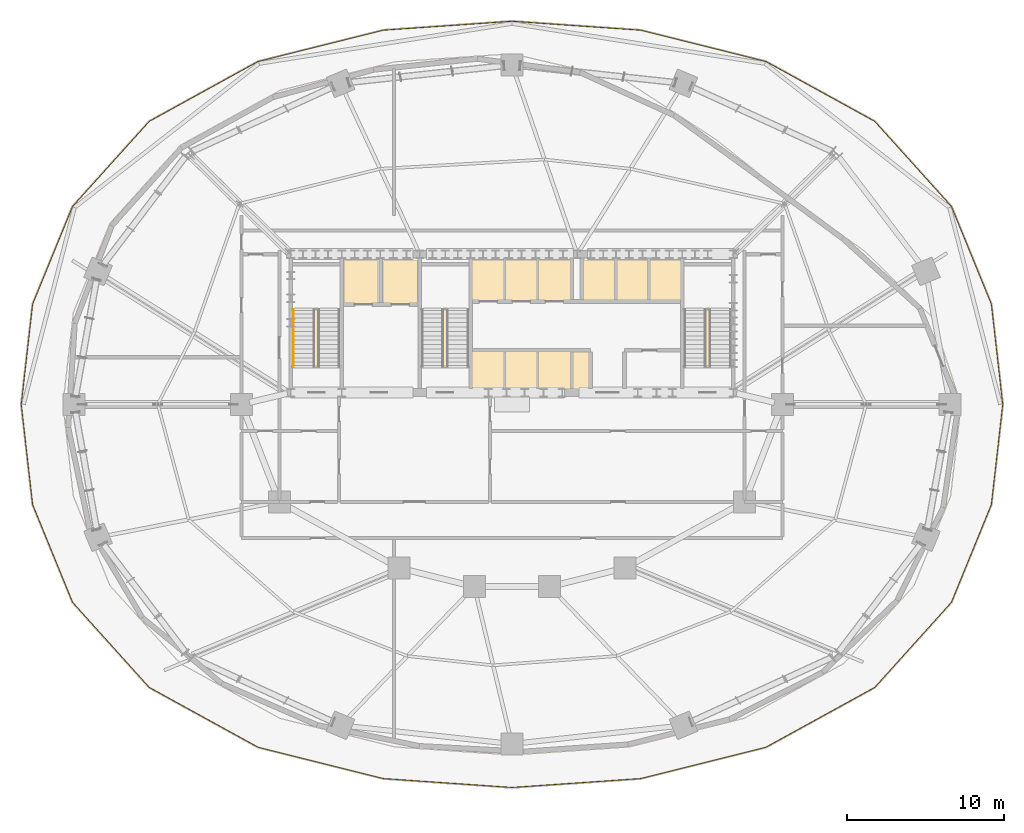
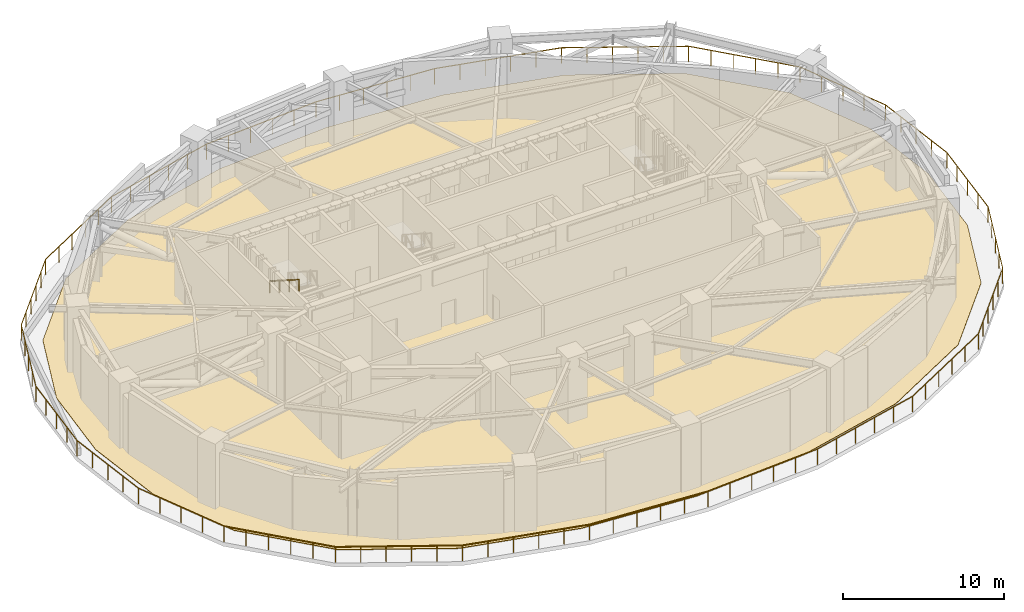
# One storey, part 17 of 18: 2 railings, 1 covering.
"""IFC4 building model written with IfcOpenShell, lengths in metres."""

import ifcopenshell
import ifcopenshell.guid

model = None  # the IFC model being written
_history = None  # IfcOwnerHistory: only IFC2X3 demands one
_inside = {}  # id of a spatial element -> (the spatial element, [elements in it])
_under = {}  # id of a project, library or spatial element -> (it, [spatial elements below it])
_declared = {}  # id of a project -> (the project, [libraries it declares])
_typed = {}  # id of a type object -> (the type object, [elements of that type])
_made_of = {}  # id of a material, layer set ... -> (it, [elements and type objects made of it])


def new_model(schema):
    """Start an empty IFC model of exactly this schema.

    Asked for "IFC4X3", IfcOpenShell would pick the latest addendum, in which some entities
    have other attributes; the version numbers below select the first issue.
    IFC2X3 requires an IfcOwnerHistory on every rooted entity: one is made here for all.
    """
    global model, _history
    if schema == "IFC4X3":
        model = ifcopenshell.file(schema_version=(4, 3, 0, 0))
    else:
        model = ifcopenshell.file(schema=schema)
    _inside.clear()
    _under.clear()
    _declared.clear()
    _typed.clear()
    _made_of.clear()
    _history = None
    if model.schema == "IFC2X3":
        org = make("IfcOrganization", Name="unknown")
        user = make(
            "IfcPersonAndOrganization",
            ThePerson=make("IfcPerson", FamilyName="unknown"),
            TheOrganization=org,
        )
        app = make(
            "IfcApplication",
            ApplicationDeveloper=org,
            Version="unknown",
            ApplicationFullName="unknown",
            ApplicationIdentifier="unknown",
        )
        _history = make(
            "IfcOwnerHistory",
            OwningUser=user,
            OwningApplication=app,
            ChangeAction="ADDED",
            CreationDate=0,
        )
    return model


def make(cls, **values):
    """One entity of the class cls with the attributes given. An attribute that is None is left unset."""
    return model.create_entity(
        cls, **{name: value for name, value in values.items() if value is not None}
    )


def rooted(cls, **values):
    """An entity with a GlobalId (a new one), such as an element, a storey or a relation."""
    return make(cls, GlobalId=ifcopenshell.guid.new(), OwnerHistory=_history, **values)


def si_unit(unit_type, name, prefix=None):
    """IfcSIUnit, for example si_unit("LENGTHUNIT", "METRE", prefix="MILLI")."""
    return make("IfcSIUnit", UnitType=unit_type, Prefix=prefix, Name=name)


def assignment(units):
    """IfcUnitAssignment: the units of a project."""
    return None if units is None else make("IfcUnitAssignment", Units=units)


def point(xyz):
    """IfcCartesianPoint."""
    return None if xyz is None else make("IfcCartesianPoint", Coordinates=xyz)


def direction(xyz):
    """IfcDirection."""
    return None if xyz is None else make("IfcDirection", DirectionRatios=xyz)


def frame(location, z_axis=None, x_axis=None):
    """IfcAxis2Placement3D, a coordinate frame: its origin and axes. An axis left out is left unset."""
    return make(
        "IfcAxis2Placement3D",
        Location=point(location),
        Axis=direction(z_axis),
        RefDirection=direction(x_axis),
    )


def frame_2d(location, x_axis=None):
    """IfcAxis2Placement2D, a coordinate frame in the plane: its origin and x axis."""
    return make(
        "IfcAxis2Placement2D", Location=point(location), RefDirection=direction(x_axis)
    )


def origin():
    """The frame at (0, 0, 0) with its axes left unset."""
    return frame((0.0, 0.0, 0.0))


def origin_2d():
    """The frame at (0, 0) in the plane with its x axis left unset."""
    return frame_2d((0.0, 0.0))


def place(relative_to, where):
    """IfcLocalPlacement: puts the frame where relative to a parent placement (None: the world)."""
    return make(
        "IfcLocalPlacement", PlacementRelTo=relative_to, RelativePlacement=where
    )


def context(
    kind, dimensions, precision=None, world=None, true_north=None, identifier=None
):
    """IfcGeometricRepresentationContext, for example the 3D "Model" context."""
    return make(
        "IfcGeometricRepresentationContext",
        ContextIdentifier=identifier,
        ContextType=kind,
        CoordinateSpaceDimension=dimensions,
        Precision=precision,
        WorldCoordinateSystem=world,
        TrueNorth=true_north,
    )


def subcontext(parent, identifier, kind, view, scale=None):
    """IfcGeometricRepresentationSubContext, for example "Body" below "Model"."""
    return make(
        "IfcGeometricRepresentationSubContext",
        ContextIdentifier=identifier,
        ContextType=kind,
        ParentContext=parent,
        TargetScale=scale,
        TargetView=view,
    )


def project(units=None, contexts=None):
    """IfcProject with its units and contexts."""
    return rooted(
        "IfcProject",
        Name="project",
        RepresentationContexts=contexts,
        UnitsInContext=assignment(units),
    )


def spatial(cls, under=None, at=None, **own):
    """A site, building, storey or space (cls), placed at a placement, below another one or the project."""
    s = rooted(cls, ObjectPlacement=at, **own)
    if under is not None:
        _under.setdefault(under.id(), (under, []))[1].append(s)
    return s


def polyline(points):
    """IfcPolyline through the points."""
    return make("IfcPolyline", Points=[point(p) for p in points])


def profile(cls, at=None, kind="AREA", **sizes):
    """A parametric profile (cls). Its sizes go by their IFC names, for example OverallWidth=200.0."""
    return make(cls, ProfileType=kind, Position=at, **sizes)


def rectangle(**sizes):
    """IfcRectangleProfileDef."""
    return profile("IfcRectangleProfileDef", **sizes)


def outline(outer, holes=None, kind="AREA"):
    """IfcArbitraryClosedProfileDef: a profile drawn as a closed curve; with holes, ...WithVoids."""
    if holes is None:
        return make("IfcArbitraryClosedProfileDef", ProfileType=kind, OuterCurve=outer)
    return make(
        "IfcArbitraryProfileDefWithVoids",
        ProfileType=kind,
        OuterCurve=outer,
        InnerCurves=holes,
    )


def extrude(swept, where, along, depth):
    """IfcExtrudedAreaSolid: the profile swept, set in the frame where, extruded along a direction by depth."""
    return make(
        "IfcExtrudedAreaSolid",
        SweptArea=swept,
        Position=where,
        ExtrudedDirection=direction(along),
        Depth=depth,
    )


def shape(context_of_items, identifier, shape_type, items):
    """IfcShapeRepresentation: the items that make up one representation, for example the "Body"."""
    return make(
        "IfcShapeRepresentation",
        ContextOfItems=context_of_items,
        RepresentationIdentifier=identifier,
        RepresentationType=shape_type,
        Items=items,
    )


def material(Name=None, Category=None):
    """IfcMaterial."""
    return make("IfcMaterial", Name=Name, Category=Category)


def layer(
    of_material, thickness, ventilated=None, Name=None, Category=None, Priority=None
):
    """IfcMaterialLayer: one layer of a wall or slab, of a material (None: an air gap)."""
    return make(
        "IfcMaterialLayer",
        Material=of_material,
        LayerThickness=thickness,
        IsVentilated=ventilated,
        Name=Name,
        Category=Category,
        Priority=Priority,
    )


def layer_set(layers, Name=None):
    """IfcMaterialLayerSet."""
    return make("IfcMaterialLayerSet", MaterialLayers=layers, LayerSetName=Name)


def made_of(thing, what):
    """Note that an element or type object is made of a material, layer set ...; save() writes the relation."""
    if what is not None:
        _made_of.setdefault(what.id(), (what, []))[1].append(thing)
    return thing


def type_object(cls, material=None, **own):
    """A type object (cls), such as IfcWallType, which elements share."""
    return made_of(rooted(cls, **own), material)


def element(
    cls,
    number,
    at=None,
    inside=None,
    cuts=None,
    type_object=None,
    material=None,
    context=None,
    identifier="Body",
    shape_type=None,
    held_by="IfcProductDefinitionShape",
    body=None,
    shapes=None,
    **own,
):
    """One element of the class cls, such as IfcWall. Its Tag is "e" and its number.

    at: its placement. inside: the storey or other place that contains it. cuts: it is an
    opening in that element (IfcRelVoidsElement). A single representation is given by context,
    identifier, shape_type and body (its items); several are given by shapes. held_by: the class
    of the entity that holds the representations. save() writes the other relations.
    """
    e = rooted(cls, Tag="e%d" % number, ObjectPlacement=at, **own)
    if body is not None:
        shapes = [shape(context, identifier, shape_type, body)]
    if shapes is not None:
        e.Representation = make(held_by, Representations=shapes)
    if inside is not None:
        _inside.setdefault(inside.id(), (inside, []))[1].append(e)
    if cuts is not None:
        rooted(
            "IfcRelVoidsElement", RelatingBuildingElement=cuts, RelatedOpeningElement=e
        )
    if type_object is not None:
        _typed.setdefault(type_object.id(), (type_object, []))[1].append(e)
    return made_of(e, material)


def aggregate(whole, parts):
    """IfcRelAggregates: a whole, such as a stair, and the parts it consists of."""
    return rooted("IfcRelAggregates", RelatingObject=whole, RelatedObjects=parts)


def save(model, path):
    """Write the relations noted so far, then the file.

    IfcRelAggregates (storeys below a building ...), IfcRelContainedInSpatialStructure (elements
    in a storey), IfcRelDefinesByType, IfcRelAssociatesMaterial and IfcRelDeclares: one each for
    every whole, place, type object, material and project.
    """
    for whole, parts in _under.values():
        aggregate(whole, parts)
    for where, things in _inside.values():
        rooted(
            "IfcRelContainedInSpatialStructure",
            RelatedElements=things,
            RelatingStructure=where,
        )
    for kind, things in _typed.values():
        rooted("IfcRelDefinesByType", RelatedObjects=things, RelatingType=kind)
    for what, things in _made_of.values():
        rooted("IfcRelAssociatesMaterial", RelatedObjects=things, RelatingMaterial=what)
    for by, libraries in _declared.values():
        rooted("IfcRelDeclares", RelatingContext=by, RelatedDefinitions=libraries)
    model.write(path)


model = new_model("IFC4")

# Units and contexts
model_context = context("Model", 3, precision=1e-05, world=origin(), true_north=direction((0.0, 1.0)))
body_context = subcontext(model_context, "Body", "Model", "MODEL_VIEW")
ifc_project = project(units=[si_unit("LENGTHUNIT", "METRE"), si_unit("AREAUNIT", "SQUARE_METRE"), si_unit("VOLUMEUNIT", "CUBIC_METRE"), si_unit("PLANEANGLEUNIT", "RADIAN"), si_unit("MASSUNIT", "GRAM", prefix="KILO")], contexts=[model_context])

# Site, building, storey
site_placement = place(None, origin())
site = spatial("IfcSite", under=ifc_project, at=site_placement, CompositionType="ELEMENT")
building_placement = place(site_placement, origin())
building = spatial("IfcBuilding", under=site, at=building_placement, Name="Haldorwick Loom Tower", CompositionType="ELEMENT")
storey_placement = place(building_placement, frame((0.0, 0.0, 76.800048828125)))
storey = spatial("IfcBuildingStorey", under=building, at=storey_placement, Name="L20", CompositionType="ELEMENT", Elevation=76.800048828125)

# Covering
ifc_material_1 = material(Name="SBS Modified Bitumen Inverted Roof Membrane")
ifc_layer = layer(ifc_material_1, 0.0400390625, Name="SBS Modified Bitumen Inverted Roof Membrane")
ifc_layer_set = layer_set([ifc_layer], Name="SBS Modified Bitumen Inverted Roof Membrane")
covering_type = type_object("IfcCoveringType", Name="ARC-COV-ROOFMEM", PredefinedType="ROOFING", material=ifc_layer_set)
covering_placement = place(storey_placement, origin())
element("IfcCovering", 1, at=covering_placement, inside=storey, type_object=covering_type, Name="L20 Terrace Inverted Roof Membrane 1", PredefinedType="ROOFING", context=body_context, shape_type="SweptSolid", body=[
    extrude(outline(polyline([(65.886962890625, 25.999755859375), (65.20068359375, 32.0458984375), (62.8154296875, 37.87841796875), (58.24560546875, 42.951416015625), (51.66259765625, 46.5732421875), (43.97314453125, 48.493896484375), (36.00146484375, 49.04638671875), (28.0302734375, 48.494384765625), (20.341796875, 46.5751953125), (13.759521484375, 42.955322265625), (9.187744140625, 37.884033203125), (6.800537109375, 32.051025390625), (6.11328125, 26.002197265625), (6.79931640625, 19.953857421875), (9.1845703125, 14.12158203125), (13.75439453125, 9.048583984375), (20.33740234375, 5.4267578125), (28.02685546875, 3.506103515625), (35.99853515625, 2.95361328125), (43.9697265625, 3.505615234375), (51.658203125, 5.4248046875), (58.240478515625, 9.044677734375), (62.812255859375, 14.115966796875), (65.199462890625, 19.948974609375), (65.886962890625, 25.999755859375)])), origin(), (0.0, 0.0, 1.0), 0.0400390625),
])

# Railings
ifc_material_2 = material(Name="Galvanized Steel CSA G40.21 350W", Category="steel")
railing_type_1 = type_object("IfcRailingType", Name="ARC-RLG-BAL120", PredefinedType="BALUSTRADE", material=ifc_material_2)
railing_1_placement = place(storey_placement, frame((4.78466796875, 26.0, 0.0)))
element("IfcRailing", 2, at=railing_1_placement, inside=storey, type_object=railing_type_1, Name="L20 Outdoor Terrace Guardrail SLB-L20-TERR-1-1", PredefinedType="BALUSTRADE", context=body_context, shape_type="SweptSolid", body=[
    extrude(rectangle(XDim=0.048095703125, YDim=0.048095703125, at=origin_2d()), frame((0.0, 0.0, 1.17578125), z_axis=(0.112785118554, 0.993619402504, 0.0), x_axis=(-0.993619402504, 0.112785118554, 0.0)), (0.0, 0.0, 1.0), 6.42041015625),
    extrude(rectangle(XDim=0.048095703125, YDim=0.048095703125, at=origin_2d()), frame((0.72412109375, 6.37939453125, 1.17578125), z_axis=(0.378594621359, 0.925562592523, 0.0), x_axis=(-0.925562592523, 0.378594621359, 0.0)), (0.0, 0.0, 1.0), 6.71484375),
    extrude(rectangle(XDim=0.048095703125, YDim=0.048095703125, at=origin_2d()), frame((3.266357421875, 12.594482421875, 1.17578125), z_axis=(0.669451834639, 0.742855464474, 0.0), x_axis=(-0.742855464474, 0.669451834639, 0.0)), (0.0, 0.0, 1.0), 7.280517578125),
    extrude(rectangle(XDim=0.048095703125, YDim=0.048095703125, at=origin_2d()), frame((8.140380859375, 18.0029296875, 1.17578125), z_axis=(0.876208737936, 0.481931787253, 0.0), x_axis=(-0.481931787253, 0.876208737936, 0.0)), (0.0, 0.0, 1.0), 7.9072265625),
    extrude(rectangle(XDim=0.048095703125, YDim=0.048095703125, at=origin_2d()), frame((15.06884765625, 21.813720703125, 1.17578125), z_axis=(0.970219395683, 0.242227835397, 0.0), x_axis=(-0.242227835397, 0.970219395683, 0.0)), (0.0, 0.0, 1.0), 8.21240234375),
    extrude(rectangle(XDim=0.048095703125, YDim=0.048095703125, at=origin_2d()), frame((23.03662109375, 23.802978515625, 1.17578125), z_axis=(0.997606445179, 0.069147527335, 0.0), x_axis=(-0.069147527335, 0.997606445179, 0.0)), (0.0, 0.0, 1.0), 8.1982421875),
    extrude(rectangle(XDim=0.048095703125, YDim=0.048095703125, at=origin_2d()), frame((31.21533203125, 24.369873046875, 1.17578125), z_axis=(0.997606445179, -0.069147527335, 0.0), x_axis=(0.069147527335, 0.997606445179, 0.0)), (0.0, 0.0, 1.0), 8.1982421875),
    extrude(rectangle(XDim=0.048095703125, YDim=0.048095703125, at=origin_2d()), frame((39.39404296875, 23.802978515625, 1.17578125), z_axis=(0.970219395683, -0.242227835397, 0.0), x_axis=(0.242227835397, 0.970219395683, 0.0)), (0.0, 0.0, 1.0), 8.21240234375),
    extrude(rectangle(XDim=0.048095703125, YDim=0.048095703125, at=origin_2d()), frame((47.36181640625, 21.813720703125, 1.17578125), z_axis=(0.876208737936, -0.481931787253, 0.0), x_axis=(0.481931787253, 0.876208737936, 0.0)), (0.0, 0.0, 1.0), 7.9072265625),
    extrude(rectangle(XDim=0.048095703125, YDim=0.048095703125, at=origin_2d()), frame((54.290283203125, 18.0029296875, 1.17578125), z_axis=(0.669451834639, -0.742855464474, 0.0), x_axis=(0.742855464474, 0.669451834639, 0.0)), (0.0, 0.0, 1.0), 7.280517578125),
    extrude(rectangle(XDim=0.048095703125, YDim=0.048095703125, at=origin_2d()), frame((59.164306640625, 12.594482421875, 1.17578125), z_axis=(0.378594621359, -0.925562592523, 0.0), x_axis=(0.925562592523, 0.378594621359, 0.0)), (0.0, 0.0, 1.0), 6.71484375),
    extrude(rectangle(XDim=0.048095703125, YDim=0.048095703125, at=origin_2d()), frame((61.70654296875, 6.37939453125, 1.17578125), z_axis=(0.112785118554, -0.993619402504, 0.0), x_axis=(0.993619402504, 0.112785118554, 0.0)), (0.0, 0.0, 1.0), 6.42041015625),
    extrude(rectangle(XDim=0.048095703125, YDim=0.048095703125, at=origin_2d()), frame((62.4306640625, 0.0, 1.17578125), z_axis=(-0.112785118554, -0.993619402504, 0.0), x_axis=(0.993619402504, -0.112785118554, 0.0)), (0.0, 0.0, 1.0), 6.42041015625),
    extrude(rectangle(XDim=0.048095703125, YDim=0.048095703125, at=origin_2d()), frame((61.70654296875, -6.37939453125, 1.17578125), z_axis=(-0.378594621359, -0.925562592523, 0.0), x_axis=(0.925562592523, -0.378594621359, 0.0)), (0.0, 0.0, 1.0), 6.71484375),
    extrude(rectangle(XDim=0.048095703125, YDim=0.048095703125, at=origin_2d()), frame((59.164306640625, -12.594482421875, 1.17578125), z_axis=(-0.669451834639, -0.742855464474, 0.0), x_axis=(0.742855464474, -0.669451834639, 0.0)), (0.0, 0.0, 1.0), 7.280517578125),
    extrude(rectangle(XDim=0.048095703125, YDim=0.048095703125, at=origin_2d()), frame((54.290283203125, -18.0029296875, 1.17578125), z_axis=(-0.876208737936, -0.481931787253, 0.0), x_axis=(0.481931787253, -0.876208737936, 0.0)), (0.0, 0.0, 1.0), 7.9072265625),
    extrude(rectangle(XDim=0.048095703125, YDim=0.048095703125, at=origin_2d()), frame((47.36181640625, -21.813720703125, 1.17578125), z_axis=(-0.970219395683, -0.242227835397, 0.0), x_axis=(0.242227835397, -0.970219395683, 0.0)), (0.0, 0.0, 1.0), 8.21240234375),
    extrude(rectangle(XDim=0.048095703125, YDim=0.048095703125, at=origin_2d()), frame((39.39404296875, -23.802978515625, 1.17578125), z_axis=(-0.997606445179, -0.069147527335, 0.0), x_axis=(0.069147527335, -0.997606445179, 0.0)), (0.0, 0.0, 1.0), 8.1982421875),
    extrude(rectangle(XDim=0.048095703125, YDim=0.048095703125, at=origin_2d()), frame((31.21533203125, -24.369873046875, 1.17578125), z_axis=(-0.997606445179, 0.069147527335, 0.0), x_axis=(-0.069147527335, -0.997606445179, 0.0)), (0.0, 0.0, 1.0), 8.1982421875),
    extrude(rectangle(XDim=0.048095703125, YDim=0.048095703125, at=origin_2d()), frame((23.03662109375, -23.802978515625, 1.17578125), z_axis=(-0.970219395683, 0.242227835397, 0.0), x_axis=(-0.242227835397, -0.970219395683, 0.0)), (0.0, 0.0, 1.0), 8.21240234375),
    extrude(rectangle(XDim=0.048095703125, YDim=0.048095703125, at=origin_2d()), frame((15.06884765625, -21.813720703125, 1.17578125), z_axis=(-0.876208737936, 0.481931787253, 0.0), x_axis=(-0.481931787253, -0.876208737936, 0.0)), (0.0, 0.0, 1.0), 7.9072265625),
    extrude(rectangle(XDim=0.048095703125, YDim=0.048095703125, at=origin_2d()), frame((8.140380859375, -18.0029296875, 1.17578125), z_axis=(-0.669451834639, 0.742855464474, 0.0), x_axis=(-0.742855464474, -0.669451834639, 0.0)), (0.0, 0.0, 1.0), 7.280517578125),
    extrude(rectangle(XDim=0.048095703125, YDim=0.048095703125, at=origin_2d()), frame((3.266357421875, -12.594482421875, 1.17578125), z_axis=(-0.378594621359, 0.925562592523, 0.0), x_axis=(-0.925562592523, -0.378594621359, 0.0)), (0.0, 0.0, 1.0), 6.71484375),
    extrude(rectangle(XDim=0.048095703125, YDim=0.048095703125, at=origin_2d()), frame((0.72412109375, -6.37939453125, 1.17578125), z_axis=(-0.112785118554, 0.993619402504, 0.0), x_axis=(-0.993619402504, -0.112785118554, 0.0)), (0.0, 0.0, 1.0), 6.42041015625),
    extrude(rectangle(XDim=0.0419921875, YDim=0.0419921875, at=origin_2d()), origin(), (0.0, 0.0, 1.0), 1.15185546875),
    extrude(rectangle(XDim=0.0419921875, YDim=0.0419921875, at=origin_2d()), frame((0.18115234375, 1.5947265625, 0.0)), (0.0, 0.0, 1.0), 1.15185546875),
    extrude(rectangle(XDim=0.0419921875, YDim=0.0419921875, at=origin_2d()), frame((0.362060546875, 3.189697265625, 0.0)), (0.0, 0.0, 1.0), 1.15185546875),
    extrude(rectangle(XDim=0.0419921875, YDim=0.0419921875, at=origin_2d()), frame((0.54296875, 4.78466796875, 0.0)), (0.0, 0.0, 1.0), 1.15185546875),
    extrude(rectangle(XDim=0.0419921875, YDim=0.0419921875, at=origin_2d()), frame((0.72412109375, 6.37939453125, 0.0)), (0.0, 0.0, 1.0), 1.15185546875),
    extrude(rectangle(XDim=0.0419921875, YDim=0.0419921875, at=origin_2d()), frame((1.359619140625, 7.93310546875, 0.0)), (0.0, 0.0, 1.0), 1.15185546875),
    extrude(rectangle(XDim=0.0419921875, YDim=0.0419921875, at=origin_2d()), frame((1.9951171875, 9.48681640625, 0.0)), (0.0, 0.0, 1.0), 1.15185546875),
    extrude(rectangle(XDim=0.0419921875, YDim=0.0419921875, at=origin_2d()), frame((2.630859375, 11.040771484375, 0.0)), (0.0, 0.0, 1.0), 1.15185546875),
    extrude(rectangle(XDim=0.0419921875, YDim=0.0419921875, at=origin_2d()), frame((3.266357421875, 12.594482421875, 0.0)), (0.0, 0.0, 1.0), 1.15185546875),
    extrude(rectangle(XDim=0.0419921875, YDim=0.0419921875, at=origin_2d()), frame((4.2412109375, 13.67626953125, 0.0)), (0.0, 0.0, 1.0), 1.15185546875),
    extrude(rectangle(XDim=0.0419921875, YDim=0.0419921875, at=origin_2d()), frame((5.216064453125, 14.7578125, 0.0)), (0.0, 0.0, 1.0), 1.15185546875),
    extrude(rectangle(XDim=0.0419921875, YDim=0.0419921875, at=origin_2d()), frame((6.190673828125, 15.839599609375, 0.0)), (0.0, 0.0, 1.0), 1.15185546875),
    extrude(rectangle(XDim=0.0419921875, YDim=0.0419921875, at=origin_2d()), frame((7.16552734375, 16.921142578125, 0.0)), (0.0, 0.0, 1.0), 1.15185546875),
    extrude(rectangle(XDim=0.0419921875, YDim=0.0419921875, at=origin_2d()), frame((8.140380859375, 18.0029296875, 0.0)), (0.0, 0.0, 1.0), 1.15185546875),
    extrude(rectangle(XDim=0.0419921875, YDim=0.0419921875, at=origin_2d()), frame((9.526123046875, 18.76513671875, 0.0)), (0.0, 0.0, 1.0), 1.15185546875),
    extrude(rectangle(XDim=0.0419921875, YDim=0.0419921875, at=origin_2d()), frame((10.911865234375, 19.52734375, 0.0)), (0.0, 0.0, 1.0), 1.15185546875),
    extrude(rectangle(XDim=0.0419921875, YDim=0.0419921875, at=origin_2d()), frame((12.29736328125, 20.289306640625, 0.0)), (0.0, 0.0, 1.0), 1.15185546875),
    extrude(rectangle(XDim=0.0419921875, YDim=0.0419921875, at=origin_2d()), frame((13.68310546875, 21.051513671875, 0.0)), (0.0, 0.0, 1.0), 1.15185546875),
    extrude(rectangle(XDim=0.0419921875, YDim=0.0419921875, at=origin_2d()), frame((15.06884765625, 21.813720703125, 0.0)), (0.0, 0.0, 1.0), 1.15185546875),
    extrude(rectangle(XDim=0.0419921875, YDim=0.0419921875, at=origin_2d()), frame((16.662353515625, 22.211669921875, 0.0)), (0.0, 0.0, 1.0), 1.15185546875),
    extrude(rectangle(XDim=0.0419921875, YDim=0.0419921875, at=origin_2d()), frame((18.255859375, 22.609375, 0.0)), (0.0, 0.0, 1.0), 1.15185546875),
    extrude(rectangle(XDim=0.0419921875, YDim=0.0419921875, at=origin_2d()), frame((19.849609375, 23.00732421875, 0.0)), (0.0, 0.0, 1.0), 1.15185546875),
    extrude(rectangle(XDim=0.0419921875, YDim=0.0419921875, at=origin_2d()), frame((21.443115234375, 23.405029296875, 0.0)), (0.0, 0.0, 1.0), 1.15185546875),
    extrude(rectangle(XDim=0.0419921875, YDim=0.0419921875, at=origin_2d()), frame((23.03662109375, 23.802978515625, 0.0)), (0.0, 0.0, 1.0), 1.15185546875),
    extrude(rectangle(XDim=0.0419921875, YDim=0.0419921875, at=origin_2d()), frame((24.67236328125, 23.916259765625, 0.0)), (0.0, 0.0, 1.0), 1.15185546875),
    extrude(rectangle(XDim=0.0419921875, YDim=0.0419921875, at=origin_2d()), frame((26.30810546875, 24.02978515625, 0.0)), (0.0, 0.0, 1.0), 1.15185546875),
    extrude(rectangle(XDim=0.0419921875, YDim=0.0419921875, at=origin_2d()), frame((27.94384765625, 24.14306640625, 0.0)), (0.0, 0.0, 1.0), 1.15185546875),
    extrude(rectangle(XDim=0.0419921875, YDim=0.0419921875, at=origin_2d()), frame((29.57958984375, 24.256591796875, 0.0)), (0.0, 0.0, 1.0), 1.15185546875),
    extrude(rectangle(XDim=0.0419921875, YDim=0.0419921875, at=origin_2d()), frame((31.21533203125, 24.369873046875, 0.0)), (0.0, 0.0, 1.0), 1.15185546875),
    extrude(rectangle(XDim=0.0419921875, YDim=0.0419921875, at=origin_2d()), frame((32.85107421875, 24.256591796875, 0.0)), (0.0, 0.0, 1.0), 1.15185546875),
    extrude(rectangle(XDim=0.0419921875, YDim=0.0419921875, at=origin_2d()), frame((34.48681640625, 24.14306640625, 0.0)), (0.0, 0.0, 1.0), 1.15185546875),
    extrude(rectangle(XDim=0.0419921875, YDim=0.0419921875, at=origin_2d()), frame((36.12255859375, 24.02978515625, 0.0)), (0.0, 0.0, 1.0), 1.15185546875),
    extrude(rectangle(XDim=0.0419921875, YDim=0.0419921875, at=origin_2d()), frame((37.75830078125, 23.916259765625, 0.0)), (0.0, 0.0, 1.0), 1.15185546875),
    extrude(rectangle(XDim=0.0419921875, YDim=0.0419921875, at=origin_2d()), frame((39.39404296875, 23.802978515625, 0.0)), (0.0, 0.0, 1.0), 1.15185546875),
    extrude(rectangle(XDim=0.0419921875, YDim=0.0419921875, at=origin_2d()), frame((40.987548828125, 23.405029296875, 0.0)), (0.0, 0.0, 1.0), 1.15185546875),
    extrude(rectangle(XDim=0.0419921875, YDim=0.0419921875, at=origin_2d()), frame((42.5810546875, 23.00732421875, 0.0)), (0.0, 0.0, 1.0), 1.15185546875),
    extrude(rectangle(XDim=0.0419921875, YDim=0.0419921875, at=origin_2d()), frame((44.1748046875, 22.609375, 0.0)), (0.0, 0.0, 1.0), 1.15185546875),
    extrude(rectangle(XDim=0.0419921875, YDim=0.0419921875, at=origin_2d()), frame((45.768310546875, 22.211669921875, 0.0)), (0.0, 0.0, 1.0), 1.15185546875),
    extrude(rectangle(XDim=0.0419921875, YDim=0.0419921875, at=origin_2d()), frame((47.36181640625, 21.813720703125, 0.0)), (0.0, 0.0, 1.0), 1.15185546875),
    extrude(rectangle(XDim=0.0419921875, YDim=0.0419921875, at=origin_2d()), frame((48.74755859375, 21.051513671875, 0.0)), (0.0, 0.0, 1.0), 1.15185546875),
    extrude(rectangle(XDim=0.0419921875, YDim=0.0419921875, at=origin_2d()), frame((50.13330078125, 20.289306640625, 0.0)), (0.0, 0.0, 1.0), 1.15185546875),
    extrude(rectangle(XDim=0.0419921875, YDim=0.0419921875, at=origin_2d()), frame((51.518798828125, 19.52734375, 0.0)), (0.0, 0.0, 1.0), 1.15185546875),
    extrude(rectangle(XDim=0.0419921875, YDim=0.0419921875, at=origin_2d()), frame((52.904541015625, 18.76513671875, 0.0)), (0.0, 0.0, 1.0), 1.15185546875),
    extrude(rectangle(XDim=0.0419921875, YDim=0.0419921875, at=origin_2d()), frame((54.290283203125, 18.0029296875, 0.0)), (0.0, 0.0, 1.0), 1.15185546875),
    extrude(rectangle(XDim=0.0419921875, YDim=0.0419921875, at=origin_2d()), frame((55.26513671875, 16.921142578125, 0.0)), (0.0, 0.0, 1.0), 1.15185546875),
    extrude(rectangle(XDim=0.0419921875, YDim=0.0419921875, at=origin_2d()), frame((56.239990234375, 15.839599609375, 0.0)), (0.0, 0.0, 1.0), 1.15185546875),
    extrude(rectangle(XDim=0.0419921875, YDim=0.0419921875, at=origin_2d()), frame((57.214599609375, 14.7578125, 0.0)), (0.0, 0.0, 1.0), 1.15185546875),
    extrude(rectangle(XDim=0.0419921875, YDim=0.0419921875, at=origin_2d()), frame((58.189453125, 13.67626953125, 0.0)), (0.0, 0.0, 1.0), 1.15185546875),
    extrude(rectangle(XDim=0.0419921875, YDim=0.0419921875, at=origin_2d()), frame((59.164306640625, 12.594482421875, 0.0)), (0.0, 0.0, 1.0), 1.15185546875),
    extrude(rectangle(XDim=0.0419921875, YDim=0.0419921875, at=origin_2d()), frame((59.7998046875, 11.040771484375, 0.0)), (0.0, 0.0, 1.0), 1.15185546875),
    extrude(rectangle(XDim=0.0419921875, YDim=0.0419921875, at=origin_2d()), frame((60.435546875, 9.48681640625, 0.0)), (0.0, 0.0, 1.0), 1.15185546875),
    extrude(rectangle(XDim=0.0419921875, YDim=0.0419921875, at=origin_2d()), frame((61.071044921875, 7.93310546875, 0.0)), (0.0, 0.0, 1.0), 1.15185546875),
    extrude(rectangle(XDim=0.0419921875, YDim=0.0419921875, at=origin_2d()), frame((61.70654296875, 6.37939453125, 0.0)), (0.0, 0.0, 1.0), 1.15185546875),
    extrude(rectangle(XDim=0.0419921875, YDim=0.0419921875, at=origin_2d()), frame((61.8876953125, 4.78466796875, 0.0)), (0.0, 0.0, 1.0), 1.15185546875),
    extrude(rectangle(XDim=0.0419921875, YDim=0.0419921875, at=origin_2d()), frame((62.068603515625, 3.189697265625, 0.0)), (0.0, 0.0, 1.0), 1.15185546875),
    extrude(rectangle(XDim=0.0419921875, YDim=0.0419921875, at=origin_2d()), frame((62.24951171875, 1.5947265625, 0.0)), (0.0, 0.0, 1.0), 1.15185546875),
    extrude(rectangle(XDim=0.0419921875, YDim=0.0419921875, at=origin_2d()), frame((62.4306640625, 0.0, 0.0)), (0.0, 0.0, 1.0), 1.15185546875),
    extrude(rectangle(XDim=0.0419921875, YDim=0.0419921875, at=origin_2d()), frame((62.24951171875, -1.5947265625, 0.0)), (0.0, 0.0, 1.0), 1.15185546875),
    extrude(rectangle(XDim=0.0419921875, YDim=0.0419921875, at=origin_2d()), frame((62.068603515625, -3.189697265625, 0.0)), (0.0, 0.0, 1.0), 1.15185546875),
    extrude(rectangle(XDim=0.0419921875, YDim=0.0419921875, at=origin_2d()), frame((61.8876953125, -4.78466796875, 0.0)), (0.0, 0.0, 1.0), 1.15185546875),
    extrude(rectangle(XDim=0.0419921875, YDim=0.0419921875, at=origin_2d()), frame((61.70654296875, -6.37939453125, 0.0)), (0.0, 0.0, 1.0), 1.15185546875),
    extrude(rectangle(XDim=0.0419921875, YDim=0.0419921875, at=origin_2d()), frame((61.071044921875, -7.93310546875, 0.0)), (0.0, 0.0, 1.0), 1.15185546875),
    extrude(rectangle(XDim=0.0419921875, YDim=0.0419921875, at=origin_2d()), frame((60.435546875, -9.48681640625, 0.0)), (0.0, 0.0, 1.0), 1.15185546875),
    extrude(rectangle(XDim=0.0419921875, YDim=0.0419921875, at=origin_2d()), frame((59.7998046875, -11.040771484375, 0.0)), (0.0, 0.0, 1.0), 1.15185546875),
    extrude(rectangle(XDim=0.0419921875, YDim=0.0419921875, at=origin_2d()), frame((59.164306640625, -12.594482421875, 0.0)), (0.0, 0.0, 1.0), 1.15185546875),
    extrude(rectangle(XDim=0.0419921875, YDim=0.0419921875, at=origin_2d()), frame((58.189453125, -13.67626953125, 0.0)), (0.0, 0.0, 1.0), 1.15185546875),
    extrude(rectangle(XDim=0.0419921875, YDim=0.0419921875, at=origin_2d()), frame((57.214599609375, -14.7578125, 0.0)), (0.0, 0.0, 1.0), 1.15185546875),
    extrude(rectangle(XDim=0.0419921875, YDim=0.0419921875, at=origin_2d()), frame((56.239990234375, -15.839599609375, 0.0)), (0.0, 0.0, 1.0), 1.15185546875),
    extrude(rectangle(XDim=0.0419921875, YDim=0.0419921875, at=origin_2d()), frame((55.26513671875, -16.921142578125, 0.0)), (0.0, 0.0, 1.0), 1.15185546875),
    extrude(rectangle(XDim=0.0419921875, YDim=0.0419921875, at=origin_2d()), frame((54.290283203125, -18.0029296875, 0.0)), (0.0, 0.0, 1.0), 1.15185546875),
    extrude(rectangle(XDim=0.0419921875, YDim=0.0419921875, at=origin_2d()), frame((52.904541015625, -18.76513671875, 0.0)), (0.0, 0.0, 1.0), 1.15185546875),
    extrude(rectangle(XDim=0.0419921875, YDim=0.0419921875, at=origin_2d()), frame((51.518798828125, -19.52734375, 0.0)), (0.0, 0.0, 1.0), 1.15185546875),
    extrude(rectangle(XDim=0.0419921875, YDim=0.0419921875, at=origin_2d()), frame((50.13330078125, -20.289306640625, 0.0)), (0.0, 0.0, 1.0), 1.15185546875),
    extrude(rectangle(XDim=0.0419921875, YDim=0.0419921875, at=origin_2d()), frame((48.74755859375, -21.051513671875, 0.0)), (0.0, 0.0, 1.0), 1.15185546875),
    extrude(rectangle(XDim=0.0419921875, YDim=0.0419921875, at=origin_2d()), frame((47.36181640625, -21.813720703125, 0.0)), (0.0, 0.0, 1.0), 1.15185546875),
    extrude(rectangle(XDim=0.0419921875, YDim=0.0419921875, at=origin_2d()), frame((45.768310546875, -22.211669921875, 0.0)), (0.0, 0.0, 1.0), 1.15185546875),
    extrude(rectangle(XDim=0.0419921875, YDim=0.0419921875, at=origin_2d()), frame((44.1748046875, -22.609375, 0.0)), (0.0, 0.0, 1.0), 1.15185546875),
    extrude(rectangle(XDim=0.0419921875, YDim=0.0419921875, at=origin_2d()), frame((42.5810546875, -23.00732421875, 0.0)), (0.0, 0.0, 1.0), 1.15185546875),
    extrude(rectangle(XDim=0.0419921875, YDim=0.0419921875, at=origin_2d()), frame((40.987548828125, -23.405029296875, 0.0)), (0.0, 0.0, 1.0), 1.15185546875),
    extrude(rectangle(XDim=0.0419921875, YDim=0.0419921875, at=origin_2d()), frame((39.39404296875, -23.802978515625, 0.0)), (0.0, 0.0, 1.0), 1.15185546875),
    extrude(rectangle(XDim=0.0419921875, YDim=0.0419921875, at=origin_2d()), frame((37.75830078125, -23.916259765625, 0.0)), (0.0, 0.0, 1.0), 1.15185546875),
    extrude(rectangle(XDim=0.0419921875, YDim=0.0419921875, at=origin_2d()), frame((36.12255859375, -24.02978515625, 0.0)), (0.0, 0.0, 1.0), 1.15185546875),
    extrude(rectangle(XDim=0.0419921875, YDim=0.0419921875, at=origin_2d()), frame((34.48681640625, -24.14306640625, 0.0)), (0.0, 0.0, 1.0), 1.15185546875),
    extrude(rectangle(XDim=0.0419921875, YDim=0.0419921875, at=origin_2d()), frame((32.85107421875, -24.256591796875, 0.0)), (0.0, 0.0, 1.0), 1.15185546875),
    extrude(rectangle(XDim=0.0419921875, YDim=0.0419921875, at=origin_2d()), frame((31.21533203125, -24.369873046875, 0.0)), (0.0, 0.0, 1.0), 1.15185546875),
    extrude(rectangle(XDim=0.0419921875, YDim=0.0419921875, at=origin_2d()), frame((29.57958984375, -24.256591796875, 0.0)), (0.0, 0.0, 1.0), 1.15185546875),
    extrude(rectangle(XDim=0.0419921875, YDim=0.0419921875, at=origin_2d()), frame((27.94384765625, -24.14306640625, 0.0)), (0.0, 0.0, 1.0), 1.15185546875),
    extrude(rectangle(XDim=0.0419921875, YDim=0.0419921875, at=origin_2d()), frame((26.30810546875, -24.02978515625, 0.0)), (0.0, 0.0, 1.0), 1.15185546875),
    extrude(rectangle(XDim=0.0419921875, YDim=0.0419921875, at=origin_2d()), frame((24.67236328125, -23.916259765625, 0.0)), (0.0, 0.0, 1.0), 1.15185546875),
    extrude(rectangle(XDim=0.0419921875, YDim=0.0419921875, at=origin_2d()), frame((23.03662109375, -23.802978515625, 0.0)), (0.0, 0.0, 1.0), 1.15185546875),
    extrude(rectangle(XDim=0.0419921875, YDim=0.0419921875, at=origin_2d()), frame((21.443115234375, -23.405029296875, 0.0)), (0.0, 0.0, 1.0), 1.15185546875),
    extrude(rectangle(XDim=0.0419921875, YDim=0.0419921875, at=origin_2d()), frame((19.849609375, -23.00732421875, 0.0)), (0.0, 0.0, 1.0), 1.15185546875),
    extrude(rectangle(XDim=0.0419921875, YDim=0.0419921875, at=origin_2d()), frame((18.255859375, -22.609375, 0.0)), (0.0, 0.0, 1.0), 1.15185546875),
    extrude(rectangle(XDim=0.0419921875, YDim=0.0419921875, at=origin_2d()), frame((16.662353515625, -22.211669921875, 0.0)), (0.0, 0.0, 1.0), 1.15185546875),
    extrude(rectangle(XDim=0.0419921875, YDim=0.0419921875, at=origin_2d()), frame((15.06884765625, -21.813720703125, 0.0)), (0.0, 0.0, 1.0), 1.15185546875),
    extrude(rectangle(XDim=0.0419921875, YDim=0.0419921875, at=origin_2d()), frame((13.68310546875, -21.051513671875, 0.0)), (0.0, 0.0, 1.0), 1.15185546875),
    extrude(rectangle(XDim=0.0419921875, YDim=0.0419921875, at=origin_2d()), frame((12.29736328125, -20.289306640625, 0.0)), (0.0, 0.0, 1.0), 1.15185546875),
    extrude(rectangle(XDim=0.0419921875, YDim=0.0419921875, at=origin_2d()), frame((10.911865234375, -19.52734375, 0.0)), (0.0, 0.0, 1.0), 1.15185546875),
    extrude(rectangle(XDim=0.0419921875, YDim=0.0419921875, at=origin_2d()), frame((9.526123046875, -18.76513671875, 0.0)), (0.0, 0.0, 1.0), 1.15185546875),
    extrude(rectangle(XDim=0.0419921875, YDim=0.0419921875, at=origin_2d()), frame((8.140380859375, -18.0029296875, 0.0)), (0.0, 0.0, 1.0), 1.15185546875),
    extrude(rectangle(XDim=0.0419921875, YDim=0.0419921875, at=origin_2d()), frame((7.16552734375, -16.921142578125, 0.0)), (0.0, 0.0, 1.0), 1.15185546875),
    extrude(rectangle(XDim=0.0419921875, YDim=0.0419921875, at=origin_2d()), frame((6.190673828125, -15.839599609375, 0.0)), (0.0, 0.0, 1.0), 1.15185546875),
    extrude(rectangle(XDim=0.0419921875, YDim=0.0419921875, at=origin_2d()), frame((5.216064453125, -14.7578125, 0.0)), (0.0, 0.0, 1.0), 1.15185546875),
    extrude(rectangle(XDim=0.0419921875, YDim=0.0419921875, at=origin_2d()), frame((4.2412109375, -13.67626953125, 0.0)), (0.0, 0.0, 1.0), 1.15185546875),
    extrude(rectangle(XDim=0.0419921875, YDim=0.0419921875, at=origin_2d()), frame((3.266357421875, -12.594482421875, 0.0)), (0.0, 0.0, 1.0), 1.15185546875),
    extrude(rectangle(XDim=0.0419921875, YDim=0.0419921875, at=origin_2d()), frame((2.630859375, -11.040771484375, 0.0)), (0.0, 0.0, 1.0), 1.15185546875),
    extrude(rectangle(XDim=0.0419921875, YDim=0.0419921875, at=origin_2d()), frame((1.9951171875, -9.48681640625, 0.0)), (0.0, 0.0, 1.0), 1.15185546875),
    extrude(rectangle(XDim=0.0419921875, YDim=0.0419921875, at=origin_2d()), frame((1.359619140625, -7.93310546875, 0.0)), (0.0, 0.0, 1.0), 1.15185546875),
    extrude(rectangle(XDim=0.0419921875, YDim=0.0419921875, at=origin_2d()), frame((0.72412109375, -6.37939453125, 0.0)), (0.0, 0.0, 1.0), 1.15185546875),
    extrude(rectangle(XDim=0.0419921875, YDim=0.0419921875, at=origin_2d()), frame((0.54296875, -4.78466796875, 0.0)), (0.0, 0.0, 1.0), 1.15185546875),
    extrude(rectangle(XDim=0.0419921875, YDim=0.0419921875, at=origin_2d()), frame((0.362060546875, -3.189697265625, 0.0)), (0.0, 0.0, 1.0), 1.15185546875),
    extrude(rectangle(XDim=0.0419921875, YDim=0.0419921875, at=origin_2d()), frame((0.18115234375, -1.5947265625, 0.0)), (0.0, 0.0, 1.0), 1.15185546875),
])
ifc_material_3 = material(Name="Steel CSA G40.21 350W", Category="steel")
railing_type_2 = type_object("IfcRailingType", Name="ARC-RLG-HAND092", PredefinedType="HANDRAIL", material=ifc_material_3)
railing_2_placement = place(storey_placement, frame((22.10009765625, 32.0400390625, 2.678466796875)))
element("IfcRailing", 3, at=railing_2_placement, inside=storey, type_object=railing_type_2, Name="L20 ST-01 stair handrail 2", PredefinedType="HANDRAIL", context=body_context, shape_type="SweptSolid", body=[
    extrude(rectangle(XDim=0.048095703125, YDim=0.048095703125, at=origin_2d()), frame((0.0, 0.0, 0.8759765625), z_axis=(0.0, -0.843127859045, 0.537713132908), x_axis=(1.0, 0.0, 0.0)), (0.0, 0.0, 1.0), 4.3173828125),
    extrude(rectangle(XDim=0.0419921875, YDim=0.0419921875, at=origin_2d()), origin(), (0.0, 0.0, 1.0), 0.851806640625),
    extrude(rectangle(XDim=0.0419921875, YDim=0.0419921875, at=origin_2d()), frame((0.0, -1.21337890625, 0.77392578125)), (0.0, 0.0, 1.0), 0.851806640625),
    extrude(rectangle(XDim=0.0419921875, YDim=0.0419921875, at=origin_2d()), frame((0.0, -2.4267578125, 1.547607421875)), (0.0, 0.0, 1.0), 0.851806640625),
    extrude(rectangle(XDim=0.0419921875, YDim=0.0419921875, at=origin_2d()), frame((0.0, -3.64013671875, 2.321533203125)), (0.0, 0.0, 1.0), 0.851806640625),
])

save(model, "model.ifc")
